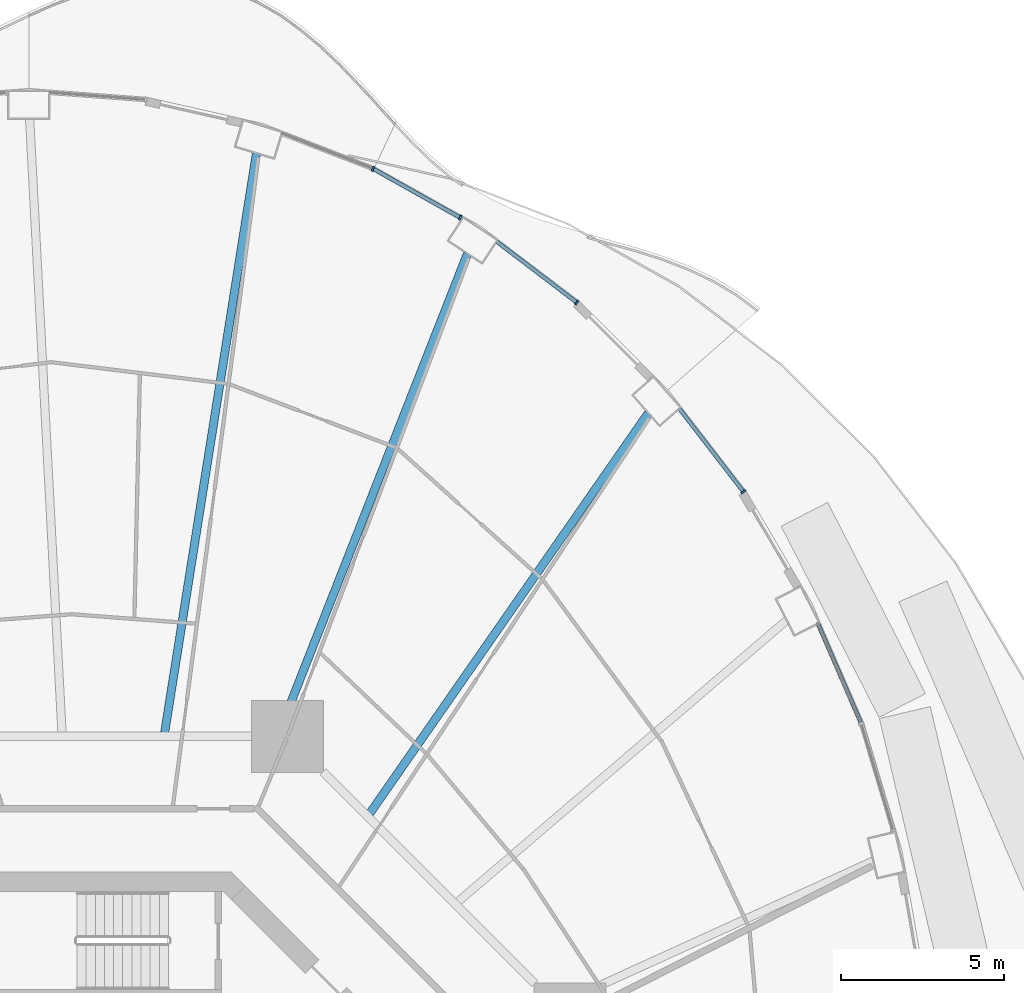
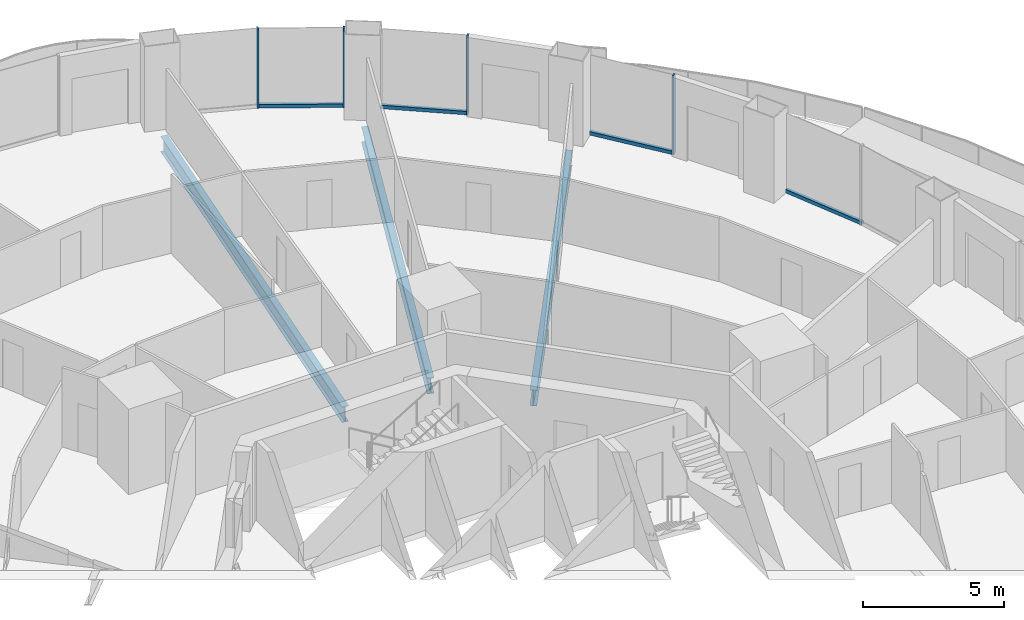
# One storey, part 10 of 22: 8 members, 3 beams, 5 elements without a shape of their own.
"""IFC4 building model written with IfcOpenShell, lengths in metres."""

from ifc_helpers import new_model, si_unit, direction, frame, origin, origin_2d, place, context, subcontext, project, spatial, rectangle, i_section, extrude, material, layer, layer_set, material_profile, profile_set, type_object, element, aggregate, save


model = new_model("IFC4")

# Units and contexts
model_context = context("Model", 3, precision=1e-05, world=origin(), true_north=direction((0.0, 1.0)))
body_context = subcontext(model_context, "Body", "Model", "MODEL_VIEW")
ifc_project = project(units=[si_unit("LENGTHUNIT", "METRE"), si_unit("AREAUNIT", "SQUARE_METRE"), si_unit("VOLUMEUNIT", "CUBIC_METRE"), si_unit("PLANEANGLEUNIT", "RADIAN"), si_unit("MASSUNIT", "GRAM", prefix="KILO")], contexts=[model_context])

# Site, building, storey
site_placement = place(None, origin())
site = spatial("IfcSite", under=ifc_project, at=site_placement, CompositionType="ELEMENT")
building_placement = place(site_placement, origin())
building = spatial("IfcBuilding", under=site, at=building_placement, Name="Nagisa Residences", CompositionType="ELEMENT")
storey_placement = place(building_placement, frame((0.0, 0.0, 73.300048828125)))
storey = spatial("IfcBuildingStorey", under=building, at=storey_placement, Name="L17", CompositionType="ELEMENT", Elevation=73.300048828125)

# Curtain wall, member
ifc_material_1 = material(Name="Concrete-coloured aluminium curtain wall system", Category="concrete")
ifc_layer = layer(ifc_material_1, 0.159912109375)
ifc_layer_set = layer_set([ifc_layer], Name="CW1 CURTAIN WALL")
curtain_wall_type = type_object("IfcCurtainWallType", Name="CW1 CURTAIN WALL", PredefinedType="NOTDEFINED", material=ifc_layer_set)
curtain_wall_1_placement = place(storey_placement, origin())
curtain_wall_1 = element("IfcCurtainWall", 1, at=curtain_wall_1_placement, inside=storey, type_object=curtain_wall_type, Name="cw:CW1:L17:05", PredefinedType="NOTDEFINED")
ifc_material_2 = material(Name="Concrete-coloured aluminium", Category="concrete")
ifc_material_profile_1 = material_profile(ifc_material_2, rectangle(XDim=0.159912109375, YDim=0.06005859375, at=origin_2d()), Name="CW1 MULLION 160x60")
ifc_profile_set_1 = profile_set([ifc_material_profile_1], Name="Concrete-coloured aluminium")
member_type_1 = type_object("IfcMemberType", Name="CW1 MULLION 160x60", PredefinedType="MULLION", material=ifc_profile_set_1)
member_1_placement = place(storey_placement, frame((20.09033203125, 22.27783203125, 0.0), z_axis=(0.0, 0.0, 1.0), x_axis=(-0.792070340816, -0.610429828235, 0.0)))
member_1 = element("IfcMember", 2, at=member_1_placement, type_object=member_type_1, Name="CW1 mullion", PredefinedType="MULLION", context=body_context, shape_type="SweptSolid", body=[
    extrude(rectangle(XDim=0.159912109375, YDim=0.06005859375, at=origin_2d()), origin(), (0.0, 0.0, 1.0), 3.43994140625),
])

curtain_wall_2_placement = place(storey_placement, origin())
curtain_wall_2 = element("IfcCurtainWall", 3, at=curtain_wall_2_placement, inside=storey, type_object=curtain_wall_type, Name="cw:CW1:L17:07", PredefinedType="NOTDEFINED")
member_2_placement = place(storey_placement, frame((14.9873046875, 28.07470703125, 0.0), z_axis=(0.0, 0.0, 1.0), x_axis=(-0.605255421737, -0.79603132756, 0.0)))
member_2 = element("IfcMember", 4, at=member_2_placement, type_object=member_type_1, Name="CW1 mullion", PredefinedType="MULLION", context=body_context, shape_type="SweptSolid", body=[
    extrude(rectangle(XDim=0.159912109375, YDim=0.06005859375, at=origin_2d()), origin(), (0.0, 0.0, 1.0), 3.43994140625),
])

curtain_wall_3_placement = place(storey_placement, origin())
curtain_wall_3 = element("IfcCurtainWall", 5, at=curtain_wall_3_placement, inside=storey, type_object=curtain_wall_type, Name="cw:CW1:L17:08", PredefinedType="NOTDEFINED")
member_3_placement = place(storey_placement, frame((11.415283203125, 30.673583984375, 0.0), z_axis=(0.0, 0.0, 1.0), x_axis=(-0.489376918501, -0.872072377523, 0.0)))
member_3 = element("IfcMember", 6, at=member_3_placement, type_object=member_type_1, Name="CW1 mullion", PredefinedType="MULLION", context=body_context, shape_type="SweptSolid", body=[
    extrude(rectangle(XDim=0.159912109375, YDim=0.06005859375, at=origin_2d()), origin(), (0.0, 0.0, 1.0), 3.43994140625),
])

curtain_wall_4_placement = place(storey_placement, origin())
curtain_wall_4 = element("IfcCurtainWall", 7, at=curtain_wall_4_placement, inside=storey, type_object=curtain_wall_type, Name="cw:CW1:L17:09", PredefinedType="NOTDEFINED")
member_4_placement = place(storey_placement, frame((8.74169921875, 32.169921875, 0.0), z_axis=(0.0, 0.0, 1.0), x_axis=(-0.360327770268, -0.932825759707, 0.0)))
member_4 = element("IfcMember", 8, at=member_4_placement, type_object=member_type_1, Name="CW1 mullion", PredefinedType="MULLION", context=body_context, shape_type="SweptSolid", body=[
    extrude(rectangle(XDim=0.159912109375, YDim=0.06005859375, at=origin_2d()), origin(), (0.0, 0.0, 1.0), 3.43994140625),
])
aggregate(curtain_wall_4, [member_4])

curtain_wall_5_placement = place(storey_placement, origin())
curtain_wall_5 = element("IfcCurtainWall", 9, at=curtain_wall_5_placement, inside=storey, type_object=curtain_wall_type, Name="cw:CW1:L17:03", PredefinedType="NOTDEFINED")
ifc_material_3 = material(Name="Concrete-coloured aluminium", Category="concrete")
ifc_material_profile_2 = material_profile(ifc_material_3, rectangle(XDim=0.1201171875, YDim=0.14990234375, at=origin_2d()), Name="CW1 TRANSOM 120x150")
ifc_profile_set_2 = profile_set([ifc_material_profile_2], Name="Concrete-coloured aluminium")
member_type_2 = type_object("IfcMemberType", Name="CW1 TRANSOM 120x150", PredefinedType="USERDEFINED", material=ifc_profile_set_2)
member_5_placement = place(storey_placement, frame((23.71337890625, 15.146240234375, 0.074951171875), z_axis=(-0.397621629246, 0.917549475481, 0.0), x_axis=(-0.917549475481, -0.397621629246, 0.0)))
member_5 = element("IfcMember", 10, at=member_5_placement, type_object=member_type_2, Name="CW1 transom", ObjectType="TRANSOM", PredefinedType="USERDEFINED", context=body_context, shape_type="SweptSolid", body=[
    extrude(rectangle(XDim=0.1201171875, YDim=0.14990234375, at=origin_2d()), origin(), (0.0, 0.0, 1.0), 3.37939453125),
])
aggregate(curtain_wall_5, [member_5])

# Member
member_6_placement = place(storey_placement, frame((20.108642578125, 22.25390625, 0.074951171875), z_axis=(-0.610458970322, 0.792047880847, 0.0), x_axis=(-0.792047880847, -0.610458970322, 0.0)))
member_6 = element("IfcMember", 11, at=member_6_placement, type_object=member_type_2, Name="CW1 transom", ObjectType="TRANSOM", PredefinedType="USERDEFINED", context=body_context, shape_type="SweptSolid", body=[
    extrude(rectangle(XDim=0.1201171875, YDim=0.14990234375, at=origin_2d()), origin(), (0.0, 0.0, 1.0), 3.262939453125),
])

aggregate(curtain_wall_1, [member_1, member_6])

member_7_placement = place(storey_placement, frame((15.01123046875, 28.056640625, 0.074951171875), z_axis=(-0.796037575978, 0.605247203736, 0.0), x_axis=(-0.605247203736, -0.796037575978, 0.0)))
member_7 = element("IfcMember", 12, at=member_7_placement, type_object=member_type_2, Name="CW1 transom", ObjectType="TRANSOM", PredefinedType="USERDEFINED", context=body_context, shape_type="SweptSolid", body=[
    extrude(rectangle(XDim=0.1201171875, YDim=0.14990234375, at=origin_2d()), origin(), (0.0, 0.0, 1.0), 3.1337890625),
])

aggregate(curtain_wall_2, [member_2, member_7])

member_8_placement = place(storey_placement, frame((11.44140625, 30.65869140625, 0.074951171875), z_axis=(-0.872037280335, 0.489439456631, 0.0), x_axis=(-0.489439456631, -0.872037280335, 0.0)))
member_8 = element("IfcMember", 13, at=member_8_placement, type_object=member_type_2, Name="CW1 transom", ObjectType="TRANSOM", PredefinedType="USERDEFINED", context=body_context, shape_type="SweptSolid", body=[
    extrude(rectangle(XDim=0.1201171875, YDim=0.14990234375, at=origin_2d()), origin(), (0.0, 0.0, 1.0), 3.07568359375),
])

aggregate(curtain_wall_3, [member_3, member_8])

# Beams
ifc_material_4 = material(Name="Steel ASTM A572 Gr 50", Category="steel")
ifc_material_profile_3 = material_profile(ifc_material_4, i_section(OverallWidth=0.2529296875, OverallDepth=0.677978515625, WebThickness=0.01171875, FlangeThickness=0.016357421875, at=origin_2d()), Name="W690x125")
ifc_profile_set_3 = profile_set([ifc_material_profile_3], Name="Steel ASTM A572 Gr 50")
beam_type = type_object("IfcBeamType", Name="Radial beam W690x125", PredefinedType="BEAM", material=ifc_profile_set_3)
beam_1_placement = place(storey_placement, frame((17.176513671875, 24.6845703125, -0.59912109375), z_axis=(-0.571167903467, -0.820833251062, 0.0), x_axis=(0.820833251062, -0.571167903467, 0.0)))
element("IfcBeam", 14, at=beam_1_placement, inside=storey, type_object=beam_type, Name="beam:L17:rb04", PredefinedType="BEAM", context=body_context, shape_type="SweptSolid", body=[
    extrude(i_section(OverallWidth=0.2529296875, OverallDepth=0.677978515625, WebThickness=0.01171875, FlangeThickness=0.016357421875, at=origin_2d()), origin(), (0.0, 0.0, 1.0), 14.93994140625),
])
beam_2_placement = place(storey_placement, frame((11.636474609375, 29.568359375, -0.59912109375), z_axis=(-0.366203217464, -0.930534901828, 0.0), x_axis=(0.930534901828, -0.366203217464, 0.0)))
element("IfcBeam", 15, at=beam_2_placement, inside=storey, type_object=beam_type, Name="beam:L17:rb05", PredefinedType="BEAM", context=body_context, shape_type="SweptSolid", body=[
    extrude(i_section(OverallWidth=0.2529296875, OverallDepth=0.677978515625, WebThickness=0.01171875, FlangeThickness=0.016357421875, at=origin_2d()), origin(), (0.0, 0.0, 1.0), 15.767578125),
])
beam_3_placement = place(storey_placement, frame((5.170654296875, 32.64697265625, -0.59912109375), z_axis=(-0.156426410961, -0.987689616202, 0.0), x_axis=(0.987689616202, -0.156426410961, 0.0)))
element("IfcBeam", 16, at=beam_3_placement, inside=storey, type_object=beam_type, Name="beam:L17:rb06", PredefinedType="BEAM", context=body_context, shape_type="SweptSolid", body=[
    extrude(i_section(OverallWidth=0.2529296875, OverallDepth=0.677978515625, WebThickness=0.01171875, FlangeThickness=0.016357421875, at=origin_2d()), origin(), (0.0, 0.0, 1.0), 17.973388671875),
])

save(model, "model.ifc")
